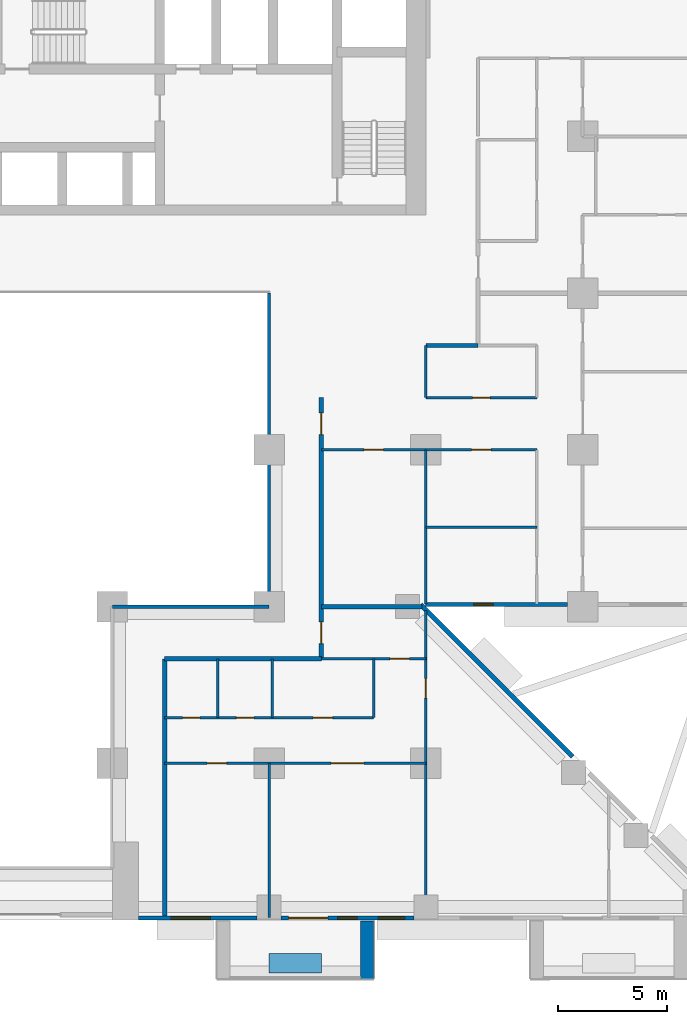
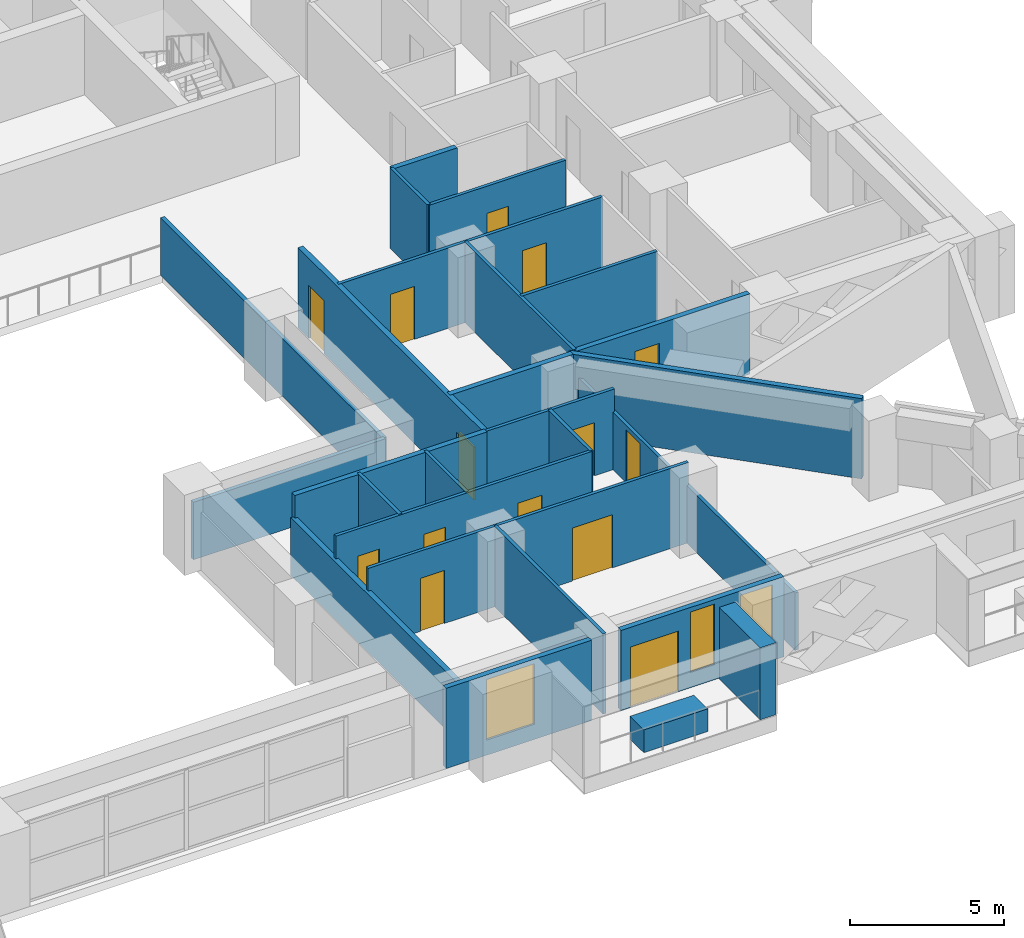
# One storey, part 8 of 17: 26 walls, 13 doors, 4 windows, 17 openings.
"""IFC4 building model written with IfcOpenShell, lengths in metres."""

from ifc_helpers import new_model, si_unit, direction, frame, frame_2d, origin, place, context, subcontext, project, spatial, rectangle, extrude, material, layer, layer_set, type_object, element, fill, save


model = new_model("IFC4")

# Units and contexts
model_context = context("Model", 3, precision=1e-05, world=origin(), true_north=direction((0.0, 1.0)))
body_context = subcontext(model_context, "Body", "Model", "MODEL_VIEW")
ifc_project = project(units=[si_unit("LENGTHUNIT", "METRE"), si_unit("AREAUNIT", "SQUARE_METRE"), si_unit("VOLUMEUNIT", "CUBIC_METRE"), si_unit("PLANEANGLEUNIT", "RADIAN"), si_unit("MASSUNIT", "GRAM", prefix="KILO")], contexts=[model_context])

# Site, building, storey
site_placement = place(None, origin())
site = spatial("IfcSite", under=ifc_project, at=site_placement, CompositionType="ELEMENT")
building_placement = place(site_placement, origin())
building = spatial("IfcBuilding", under=site, at=building_placement, Name="Saffron Iwan Residences", CompositionType="ELEMENT")
storey_placement = place(building_placement, frame((0.0, 0.0, 41.0)))
storey = spatial("IfcBuildingStorey", under=building, at=storey_placement, Name="L09", CompositionType="ELEMENT", Elevation=41.0)

# Walls
ifc_material_1 = material(Name="Fire-rated glazing", Category="glass")
ifc_layer_1 = layer(ifc_material_1, 0.14990234375)
ifc_layer_set_1 = layer_set([ifc_layer_1], Name="Fire-rated glazing")
wall_type_1 = type_object("IfcWallType", Name="Atrium glazed screen 150", PredefinedType="SOLIDWALL", material=ifc_layer_set_1)
wall_1_placement = place(storey_placement, frame((57.60009765625, 48.0, 0.0), z_axis=(0.0, 0.0, 1.0), x_axis=(1.0, 0.0, 0.0)))
element("IfcWall", 1, at=wall_1_placement, inside=storey, type_object=wall_type_1, Name="W-L09-SCREEN-h48-57.6", PredefinedType="SOLIDWALL", context=body_context, shape_type="SweptSolid", body=[
    extrude(rectangle(XDim=7.199951171875, YDim=0.14990234375, at=frame_2d((3.60009765625, 0.0))), origin(), (0.0, 0.0, 1.0), 2.280029296875),
])
wall_2_placement = place(storey_placement, frame((64.800048828125, 48.0, 0.0), z_axis=(0.0, 0.0, 1.0), x_axis=(0.0, 1.0, 0.0)))
element("IfcWall", 2, at=wall_2_placement, inside=storey, type_object=wall_type_1, Name="W-L09-SCREEN-v64.8-48", PredefinedType="SOLIDWALL", context=body_context, shape_type="SweptSolid", body=[
    extrude(rectangle(XDim=14.39990234375, YDim=0.14990234375, at=frame_2d((7.199951171875, 0.0))), origin(), (0.0, 0.0, 1.0), 2.280029296875),
])
ifc_material_2 = material(Name="Concrete C50/60 white painted", Category="concrete")
ifc_layer_2 = layer(ifc_material_2, 0.60009765625)
ifc_layer_set_2 = layer_set([ifc_layer_2], Name="Concrete C50/60 white painted")
wall_type_2 = type_object("IfcWallType", Name="BALCONY FIN 600", PredefinedType="SOLIDWALL", material=ifc_layer_set_2)
wall_3_placement = place(storey_placement, frame((69.300048828125, 33.550048828125, 0.0), z_axis=(0.0, 0.0, 1.0), x_axis=(0.0, -1.0, 0.0)))
element("IfcWall", 3, at=wall_3_placement, inside=storey, type_object=wall_type_2, Name="Balcony fin L09 11-2b", PredefinedType="SOLIDWALL", context=body_context, shape_type="SweptSolid", body=[
    extrude(rectangle(XDim=2.650146484375, YDim=0.60009765625, at=frame_2d((1.3251953125, 0.0))), origin(), (0.0, 0.0, 1.0), 2.85009765625),
])
ifc_material_3 = material(Name="Concrete C35/45 white painted", Category="concrete")
ifc_layer_3 = layer(ifc_material_3, 0.14990234375)
ifc_layer_set_3 = layer_set([ifc_layer_3], Name="Concrete C35/45 white painted")
wall_type_3 = type_object("IfcWallType", Name="BALCONY PLANTER", PredefinedType="SOLIDWALL", material=ifc_layer_set_3)
wall_4_placement = place(storey_placement, frame((64.800048828125, 31.625, 0.0), z_axis=(0.0, 0.0, 1.0), x_axis=(1.0, 0.0, 0.0)))
element("IfcWall", 4, at=wall_4_placement, inside=storey, type_object=wall_type_3, Name="PLANTER L09 11-2", PredefinedType="SOLIDWALL", context=body_context, shape_type="SweptSolid", body=[
    extrude(rectangle(XDim=2.39990234375, YDim=0.89990234375, at=frame_2d((1.199951171875, 0.0))), origin(), (0.0, 0.0, 1.0), 0.89990234375),
])
ifc_material_4 = material(Name="Concrete C40/50", Category="concrete")
ifc_layer_4 = layer(ifc_material_4, 0.199951171875)
ifc_layer_set_4 = layer_set([ifc_layer_4], Name="Concrete C40/50")
wall_type_4 = type_object("IfcWallType", Name="EXTERNAL WALL 200", PredefinedType="SOLIDWALL", material=ifc_layer_set_4)
wall_5_placement = place(storey_placement, frame((78.740478515625, 41.1181640625, 0.0), z_axis=(0.0, 0.0, 1.0), x_axis=(-0.707106781187, 0.707106781187, 0.0)))
element("IfcWall", 5, at=wall_5_placement, inside=storey, type_object=wall_type_4, Name="External wall L09 F0.2", PredefinedType="SOLIDWALL", context=body_context, shape_type="SweptSolid", body=[
    extrude(rectangle(XDim=9.8740234375, YDim=0.199951171875, at=frame_2d((4.93701171875, 0.0))), origin(), (0.0, 0.0, 1.0), 3.179931640625),
])

# Wall, opening, window
wall_6_placement = place(storey_placement, frame((71.988525390625, 48.10009765625, 0.0), z_axis=(0.0, 0.0, 1.0), x_axis=(1.0, 0.0, 0.0)))
wall_6 = element("IfcWall", 6, at=wall_6_placement, inside=storey, type_object=wall_type_4, Name="External wall L09 F1.0", PredefinedType="SOLIDWALL", context=body_context, shape_type="SweptSolid", body=[
    extrude(rectangle(XDim=6.511474609375, YDim=0.199951171875, at=frame_2d((3.255859375, 0.0))), origin(), (0.0, 0.0, 1.0), 3.179931640625),
])
opening_1_placement = place(wall_6_placement, frame((2.205810546875, 0.0, 1.5)))
opening_1 = element("IfcOpeningElement", 7, at=opening_1_placement, cuts=wall_6, Name="Opening W6", PredefinedType="OPENING", context=body_context, shape_type="SweptSolid", body=[
    extrude(rectangle(XDim=0.89990234375, YDim=0.89990234375, at=frame_2d((0.449951171875, 0.449951171875))), frame((0.0, 0.10986328125, 0.0), z_axis=(0.0, -1.0, 0.0), x_axis=(1.0, 0.0, 0.0)), (0.0, 0.0, 1.0), 0.219970703125),
])
ifc_material_5 = material(Name="Clear glass, laminated double glazed", Category="glass")
window_type_1 = type_object("IfcWindowType", Name="WINDOW 900 x 900 BATH", PartitioningType="SINGLE_PANEL", PredefinedType="WINDOW", material=ifc_material_5)
window_1_placement = place(opening_1_placement, origin())
window_1 = element("IfcWindow", 8, at=window_1_placement, inside=storey, type_object=window_type_1, Name="Window L09 F1.0", OverallHeight=0.89990234375, OverallWidth=0.89990234375, PartitioningType="SINGLE_PANEL", PredefinedType="WINDOW", context=body_context, shape_type="SweptSolid", body=[
    extrude(rectangle(XDim=0.89990234375, YDim=0.89990234375, at=frame_2d((0.449951171875, 0.449951171875))), frame((0.0, 0.030029296875, 0.0), z_axis=(0.0, -1.0, 0.0), x_axis=(1.0, 0.0, 0.0)), (0.0, 0.0, 1.0), 0.06005859375),
])
fill(opening_1, window_1)

wall_7_placement = place(storey_placement, frame((58.800048828125, 33.699951171875, 0.0), z_axis=(0.0, 0.0, 1.0), x_axis=(1.0, 0.0, 0.0)))
wall_7 = element("IfcWall", 9, at=wall_7_placement, inside=storey, type_object=wall_type_4, Name="External wall L09 F11.4", PredefinedType="SOLIDWALL", context=body_context, shape_type="SweptSolid", body=[
    extrude(rectangle(XDim=5.449951171875, YDim=0.199951171875, at=frame_2d((2.72509765625, 0.0))), origin(), (0.0, 0.0, 1.0), 3.179931640625),
])
opening_2_placement = place(wall_7_placement, frame((1.5, 0.0, 0.60009765625)))
opening_2 = element("IfcOpeningElement", 10, at=opening_2_placement, cuts=wall_7, Name="Opening W8", PredefinedType="OPENING", context=body_context, shape_type="SweptSolid", body=[
    extrude(rectangle(XDim=1.800048828125, YDim=2.39990234375, at=frame_2d((0.89990234375, 1.199951171875))), frame((0.0, 0.10986328125, 0.0), z_axis=(0.0, -1.0, 0.0), x_axis=(1.0, 0.0, 0.0)), (0.0, 0.0, 1.0), 0.219970703125),
])
window_type_2 = type_object("IfcWindowType", Name="WINDOW 1800 x 2400", PartitioningType="DOUBLE_PANEL_VERTICAL", PredefinedType="WINDOW", material=ifc_material_5)
window_2_placement = place(opening_2_placement, origin())
window_2 = element("IfcWindow", 11, at=window_2_placement, inside=storey, type_object=window_type_2, Name="Window L09 F11.0", OverallHeight=2.39990234375, OverallWidth=1.800048828125, PartitioningType="DOUBLE_PANEL_VERTICAL", PredefinedType="WINDOW", context=body_context, shape_type="SweptSolid", body=[
    extrude(rectangle(XDim=1.800048828125, YDim=2.39990234375, at=frame_2d((0.89990234375, 1.199951171875))), frame((0.0, 0.030029296875, 0.0), z_axis=(0.0, -1.0, 0.0), x_axis=(1.0, 0.0, 0.0)), (0.0, 0.0, 1.0), 0.06005859375),
])
fill(opening_2, window_2)

# Wall, openings, door, windows
wall_8_placement = place(storey_placement, frame((65.35009765625, 33.699951171875, 0.0), z_axis=(0.0, 0.0, 1.0), x_axis=(1.0, 0.0, 0.0)))
wall_8 = element("IfcWall", 12, at=wall_8_placement, inside=storey, type_object=wall_type_4, Name="External wall L09 F11.5", PredefinedType="SOLIDWALL", context=body_context, shape_type="SweptSolid", body=[
    extrude(rectangle(XDim=6.099853515625, YDim=0.199951171875, at=frame_2d((3.0498046875, 0.0))), origin(), (0.0, 0.0, 1.0), 3.179931640625),
])
opening_3_placement = place(wall_8_placement, frame((0.35009765625, 0.0, 0.0)))
opening_3 = element("IfcOpeningElement", 13, at=opening_3_placement, cuts=wall_8, Name="Opening BD1", PredefinedType="OPENING", context=body_context, shape_type="SweptSolid", body=[
    extrude(rectangle(XDim=1.800048828125, YDim=2.39990234375, at=frame_2d((0.89990234375, 1.199951171875))), frame((0.0, 0.10986328125, 0.0), z_axis=(0.0, -1.0, 0.0), x_axis=(1.0, 0.0, 0.0)), (0.0, 0.0, 1.0), 0.219970703125),
])
opening_4_placement = place(wall_8_placement, frame((2.60009765625, 0.0, 0.60009765625)))
opening_4 = element("IfcOpeningElement", 14, at=opening_4_placement, cuts=wall_8, Name="Opening W10", PredefinedType="OPENING", context=body_context, shape_type="SweptSolid", body=[
    extrude(rectangle(XDim=0.89990234375, YDim=2.39990234375, at=frame_2d((0.449951171875, 1.199951171875))), frame((0.0, 0.10986328125, 0.0), z_axis=(0.0, -1.0, 0.0), x_axis=(1.0, 0.0, 0.0)), (0.0, 0.0, 1.0), 0.219970703125),
])
opening_5_placement = place(wall_8_placement, frame((4.47509765625, 0.0, 0.60009765625)))
opening_5 = element("IfcOpeningElement", 15, at=opening_5_placement, cuts=wall_8, Name="Opening W3", PredefinedType="OPENING", context=body_context, shape_type="SweptSolid", body=[
    extrude(rectangle(XDim=1.199951171875, YDim=2.39990234375, at=frame_2d((0.60009765625, 1.199951171875))), frame((0.0, 0.10986328125, 0.0), z_axis=(0.0, -1.0, 0.0), x_axis=(1.0, 0.0, 0.0)), (0.0, 0.0, 1.0), 0.219970703125),
])
door_type_1 = type_object("IfcDoorType", Name="BALCONY DOOR 1800 x 2400", OperationType="DOUBLE_DOOR_SLIDING", PredefinedType="DOOR", material=ifc_material_5)
door_1_placement = place(opening_3_placement, origin())
door_1 = element("IfcDoor", 16, at=door_1_placement, inside=storey, type_object=door_type_1, Name="Balcony door L09 F11.0", OperationType="DOUBLE_DOOR_SLIDING", OverallHeight=2.39990234375, OverallWidth=1.800048828125, PredefinedType="DOOR", context=body_context, shape_type="SweptSolid", body=[
    extrude(rectangle(XDim=1.800048828125, YDim=2.39990234375, at=frame_2d((0.89990234375, 1.199951171875))), frame((0.0, 0.02490234375, 0.0), z_axis=(0.0, -1.0, 0.0), x_axis=(1.0, 0.0, 0.0)), (0.0, 0.0, 1.0), 0.050048828125),
])
fill(opening_3, door_1)
window_type_3 = type_object("IfcWindowType", Name="WINDOW 1200 x 2400", PartitioningType="SINGLE_PANEL", PredefinedType="WINDOW", material=ifc_material_5)
window_3_placement = place(opening_5_placement, origin())
window_3 = element("IfcWindow", 17, at=window_3_placement, inside=storey, type_object=window_type_3, Name="Window L09 F11.2", OverallHeight=2.39990234375, OverallWidth=1.199951171875, PartitioningType="SINGLE_PANEL", PredefinedType="WINDOW", context=body_context, shape_type="SweptSolid", body=[
    extrude(rectangle(XDim=1.199951171875, YDim=2.39990234375, at=frame_2d((0.60009765625, 1.199951171875))), frame((0.0, 0.030029296875, 0.0), z_axis=(0.0, -1.0, 0.0), x_axis=(1.0, 0.0, 0.0)), (0.0, 0.0, 1.0), 0.06005859375),
])
fill(opening_5, window_3)
window_type_4 = type_object("IfcWindowType", Name="WINDOW 900 x 2400", PartitioningType="SINGLE_PANEL", PredefinedType="WINDOW", material=ifc_material_5)
window_4_placement = place(opening_4_placement, origin())
window_4 = element("IfcWindow", 18, at=window_4_placement, inside=storey, type_object=window_type_4, Name="Window L09 F11.1", OverallHeight=2.39990234375, OverallWidth=0.89990234375, PartitioningType="SINGLE_PANEL", PredefinedType="WINDOW", context=body_context, shape_type="SweptSolid", body=[
    extrude(rectangle(XDim=0.89990234375, YDim=2.39990234375, at=frame_2d((0.449951171875, 1.199951171875))), frame((0.0, 0.030029296875, 0.0), z_axis=(0.0, -1.0, 0.0), x_axis=(1.0, 0.0, 0.0)), (0.0, 0.0, 1.0), 0.06005859375),
])
fill(opening_4, window_4)

# Wall
ifc_material_6 = material(Name="Fire-rated gypsum board wall")
ifc_layer_5 = layer(ifc_material_6, 0.199951171875)
ifc_layer_set_5 = layer_set([ifc_layer_5], Name="Fire-rated gypsum board wall")
wall_type_5 = type_object("IfcWallType", Name="Flat demising wall 200", PredefinedType="SOLIDWALL", material=ifc_layer_set_5)
wall_9_placement = place(storey_placement, frame((67.199951171875, 48.0, 0.0), z_axis=(0.0, 0.0, 1.0), x_axis=(1.0, 0.0, 0.0)))
element("IfcWall", 19, at=wall_9_placement, inside=storey, type_object=wall_type_5, Name="W-L09-DEMISE-h48-67.2", PredefinedType="SOLIDWALL", context=body_context, shape_type="SweptSolid", body=[
    extrude(rectangle(XDim=4.623046875, YDim=0.199951171875, at=frame_2d((2.3115234375, 0.0))), origin(), (0.0, 0.0, 1.0), 3.179931640625),
])

# Wall, openings, doors
ifc_material_7 = material(Name="Gypsum board partition")
ifc_layer_6 = layer(ifc_material_7, 0.1201171875)
ifc_layer_set_6 = layer_set([ifc_layer_6], Name="Gypsum board partition")
wall_type_6 = type_object("IfcWallType", Name="Flat partition 120", PredefinedType="PARTITIONING", material=ifc_layer_set_6)
wall_10_placement = place(storey_placement, frame((60.0, 40.800048828125, 0.0), z_axis=(0.0, 0.0, 1.0), x_axis=(1.0, 0.0, 0.0)))
wall_10 = element("IfcWall", 20, at=wall_10_placement, inside=storey, type_object=wall_type_6, Name="W-L09-PART-h40.8-60", PredefinedType="PARTITIONING", context=body_context, shape_type="SweptSolid", body=[
    extrude(rectangle(XDim=12.0, YDim=0.1201171875, at=frame_2d((6.0, 0.0))), origin(), (0.0, 0.0, 1.0), 3.179931640625),
])
opening_6_placement = place(wall_10_placement, frame((7.64990234375, 0.0, 0.0)))
opening_6 = element("IfcOpeningElement", 21, at=opening_6_placement, cuts=wall_10, Name="Opening FD4", PredefinedType="OPENING", context=body_context, shape_type="SweptSolid", body=[
    extrude(rectangle(XDim=1.5, YDim=2.10009765625, at=frame_2d((0.75, 1.050048828125))), frame((0.0, 0.070068359375, 0.0), z_axis=(0.0, -1.0, 0.0), x_axis=(1.0, 0.0, 0.0)), (0.0, 0.0, 1.0), 0.14013671875),
])
opening_7_placement = place(wall_10_placement, frame((1.949951171875, 0.0, 0.0)))
opening_7 = element("IfcOpeningElement", 22, at=opening_7_placement, cuts=wall_10, Name="Opening FD2", PredefinedType="OPENING", context=body_context, shape_type="SweptSolid", body=[
    extrude(rectangle(XDim=0.89990234375, YDim=2.10009765625, at=frame_2d((0.449951171875, 1.050048828125))), frame((0.0, 0.070068359375, 0.0), z_axis=(0.0, -1.0, 0.0), x_axis=(1.0, 0.0, 0.0)), (0.0, 0.0, 1.0), 0.14013671875),
])
ifc_material_8 = material(Name="Timber door", Category="wood")
door_type_2 = type_object("IfcDoorType", Name="Double door 1500", OperationType="NOTDEFINED", PredefinedType="DOOR", material=ifc_material_8)
door_2_placement = place(opening_6_placement, origin())
door_2 = element("IfcDoor", 23, at=door_2_placement, inside=storey, type_object=door_type_2, Name="Door L09-044", OperationType="SINGLE_SWING_LEFT", OverallHeight=2.10009765625, OverallWidth=1.5, PredefinedType="DOOR", context=body_context, shape_type="SweptSolid", body=[
    extrude(rectangle(XDim=1.5, YDim=2.10009765625, at=frame_2d((0.75, 1.050048828125))), frame((0.0, 0.02490234375, 0.0), z_axis=(0.0, -1.0, 0.0), x_axis=(1.0, 0.0, 0.0)), (0.0, 0.0, 1.0), 0.050048828125),
])
fill(opening_6, door_2)
door_type_3 = type_object("IfcDoorType", Name="Flat door 900", OperationType="NOTDEFINED", PredefinedType="DOOR", material=ifc_material_8)
door_3_placement = place(opening_7_placement, origin())
door_3 = element("IfcDoor", 24, at=door_3_placement, inside=storey, type_object=door_type_3, Name="Door L09-045", OperationType="SINGLE_SWING_LEFT", OverallHeight=2.10009765625, OverallWidth=0.89990234375, PredefinedType="DOOR", context=body_context, shape_type="SweptSolid", body=[
    extrude(rectangle(XDim=0.89990234375, YDim=2.10009765625, at=frame_2d((0.449951171875, 1.050048828125))), frame((0.0, 0.02490234375, 0.0), z_axis=(0.0, -1.0, 0.0), x_axis=(1.0, 0.0, 0.0)), (0.0, 0.0, 1.0), 0.050048828125),
])
fill(opening_7, door_3)

wall_11_placement = place(storey_placement, frame((60.0, 42.89990234375, 0.0), z_axis=(0.0, 0.0, 1.0), x_axis=(1.0, 0.0, 0.0)))
wall_11 = element("IfcWall", 25, at=wall_11_placement, inside=storey, type_object=wall_type_6, Name="W-L09-PART-h42.9-60", PredefinedType="PARTITIONING", context=body_context, shape_type="SweptSolid", body=[
    extrude(rectangle(XDim=9.60009765625, YDim=0.1201171875, at=frame_2d((4.800048828125, 0.0))), origin(), (0.0, 0.0, 1.0), 3.179931640625),
])
opening_8_placement = place(wall_11_placement, frame((6.824951171875, 0.0, 0.0)))
opening_8 = element("IfcOpeningElement", 26, at=opening_8_placement, cuts=wall_11, Name="Opening FD2", PredefinedType="OPENING", context=body_context, shape_type="SweptSolid", body=[
    extrude(rectangle(XDim=0.89990234375, YDim=2.10009765625, at=frame_2d((0.449951171875, 1.050048828125))), frame((0.0, 0.070068359375, 0.0), z_axis=(0.0, -1.0, 0.0), x_axis=(1.0, 0.0, 0.0)), (0.0, 0.0, 1.0), 0.14013671875),
])
opening_9_placement = place(wall_11_placement, frame((3.300048828125, 0.0, 0.0)))
opening_9 = element("IfcOpeningElement", 27, at=opening_9_placement, cuts=wall_11, Name="Opening FD3", PredefinedType="OPENING", context=body_context, shape_type="SweptSolid", body=[
    extrude(rectangle(XDim=0.800048828125, YDim=2.10009765625, at=frame_2d((0.39990234375, 1.050048828125))), frame((0.0, 0.070068359375, 0.0), z_axis=(0.0, -1.0, 0.0), x_axis=(1.0, 0.0, 0.0)), (0.0, 0.0, 1.0), 0.14013671875),
])
opening_10_placement = place(wall_11_placement, frame((0.824951171875, 0.0, 0.0)))
opening_10 = element("IfcOpeningElement", 28, at=opening_10_placement, cuts=wall_11, Name="Opening FD3", PredefinedType="OPENING", context=body_context, shape_type="SweptSolid", body=[
    extrude(rectangle(XDim=0.800048828125, YDim=2.10009765625, at=frame_2d((0.39990234375, 1.050048828125))), frame((0.0, 0.070068359375, 0.0), z_axis=(0.0, -1.0, 0.0), x_axis=(1.0, 0.0, 0.0)), (0.0, 0.0, 1.0), 0.14013671875),
])
door_type_4 = type_object("IfcDoorType", Name="Bathroom door 800", OperationType="NOTDEFINED", PredefinedType="DOOR", material=ifc_material_8)
door_4_placement = place(opening_9_placement, origin())
door_4 = element("IfcDoor", 29, at=door_4_placement, inside=storey, type_object=door_type_4, Name="Door L09-047", OperationType="SINGLE_SWING_LEFT", OverallHeight=2.10009765625, OverallWidth=0.800048828125, PredefinedType="DOOR", context=body_context, shape_type="SweptSolid", body=[
    extrude(rectangle(XDim=0.800048828125, YDim=2.10009765625, at=frame_2d((0.39990234375, 1.050048828125))), frame((0.0, 0.02490234375, 0.0), z_axis=(0.0, -1.0, 0.0), x_axis=(1.0, 0.0, 0.0)), (0.0, 0.0, 1.0), 0.050048828125),
])
fill(opening_9, door_4)
door_5_placement = place(opening_10_placement, origin())
door_5 = element("IfcDoor", 30, at=door_5_placement, inside=storey, type_object=door_type_4, Name="Door L09-048", OperationType="SINGLE_SWING_LEFT", OverallHeight=2.10009765625, OverallWidth=0.800048828125, PredefinedType="DOOR", context=body_context, shape_type="SweptSolid", body=[
    extrude(rectangle(XDim=0.800048828125, YDim=2.10009765625, at=frame_2d((0.39990234375, 1.050048828125))), frame((0.0, 0.02490234375, 0.0), z_axis=(0.0, -1.0, 0.0), x_axis=(1.0, 0.0, 0.0)), (0.0, 0.0, 1.0), 0.050048828125),
])
fill(opening_10, door_5)
door_6_placement = place(opening_8_placement, origin())
door_6 = element("IfcDoor", 31, at=door_6_placement, inside=storey, type_object=door_type_3, Name="Door L09-046", OperationType="SINGLE_SWING_RIGHT", OverallHeight=2.10009765625, OverallWidth=0.89990234375, PredefinedType="DOOR", context=body_context, shape_type="SweptSolid", body=[
    extrude(rectangle(XDim=0.89990234375, YDim=2.10009765625, at=frame_2d((0.449951171875, 1.050048828125))), frame((0.0, 0.02490234375, 0.0), z_axis=(0.0, -1.0, 0.0), x_axis=(1.0, 0.0, 0.0)), (0.0, 0.0, 1.0), 0.050048828125),
])
fill(opening_8, door_6)

# Wall, opening, door
wall_12_placement = place(storey_placement, frame((67.199951171875, 45.60009765625, 0.0), z_axis=(0.0, 0.0, 1.0), x_axis=(1.0, 0.0, 0.0)))
wall_12 = element("IfcWall", 32, at=wall_12_placement, inside=storey, type_object=wall_type_6, Name="W-L09-PART-h45.6-67.2", PredefinedType="PARTITIONING", context=body_context, shape_type="SweptSolid", body=[
    extrude(rectangle(XDim=4.800048828125, YDim=0.1201171875, at=frame_2d((2.39990234375, 0.0))), origin(), (0.0, 0.0, 1.0), 3.179931640625),
])
opening_11_placement = place(wall_12_placement, frame((3.14990234375, 0.0, 0.0)))
opening_11 = element("IfcOpeningElement", 33, at=opening_11_placement, cuts=wall_12, Name="Opening FD2", PredefinedType="OPENING", context=body_context, shape_type="SweptSolid", body=[
    extrude(rectangle(XDim=0.89990234375, YDim=2.10009765625, at=frame_2d((0.449951171875, 1.050048828125))), frame((0.0, 0.070068359375, 0.0), z_axis=(0.0, -1.0, 0.0), x_axis=(1.0, 0.0, 0.0)), (0.0, 0.0, 1.0), 0.14013671875),
])
door_7_placement = place(opening_11_placement, origin())
door_7 = element("IfcDoor", 34, at=door_7_placement, inside=storey, type_object=door_type_3, Name="Door L09-042", OperationType="SINGLE_SWING_LEFT", OverallHeight=2.10009765625, OverallWidth=0.89990234375, PredefinedType="DOOR", context=body_context, shape_type="SweptSolid", body=[
    extrude(rectangle(XDim=0.89990234375, YDim=2.10009765625, at=frame_2d((0.449951171875, 1.050048828125))), frame((0.0, 0.02490234375, 0.0), z_axis=(0.0, -1.0, 0.0), x_axis=(1.0, 0.0, 0.0)), (0.0, 0.0, 1.0), 0.050048828125),
])
fill(opening_11, door_7)

# Wall
wall_13_placement = place(storey_placement, frame((72.0, 51.64990234375, 0.0), z_axis=(0.0, 0.0, 1.0), x_axis=(1.0, 0.0, 0.0)))
element("IfcWall", 35, at=wall_13_placement, inside=storey, type_object=wall_type_6, Name="W-L09-PART-h51.65-72", PredefinedType="PARTITIONING", context=body_context, shape_type="SweptSolid", body=[
    extrude(rectangle(XDim=5.10009765625, YDim=0.1201171875, at=frame_2d((2.550048828125, 0.0))), origin(), (0.0, 0.0, 1.0), 3.179931640625),
])

# Wall, openings, doors
wall_14_placement = place(storey_placement, frame((67.199951171875, 55.199951171875, 0.0), z_axis=(0.0, 0.0, 1.0), x_axis=(1.0, 0.0, 0.0)))
wall_14 = element("IfcWall", 36, at=wall_14_placement, inside=storey, type_object=wall_type_6, Name="W-L09-PART-h55.2-67.2", PredefinedType="PARTITIONING", context=body_context, shape_type="SweptSolid", body=[
    extrude(rectangle(XDim=9.900146484375, YDim=0.1201171875, at=frame_2d((4.9501953125, 0.0))), origin(), (0.0, 0.0, 1.0), 3.179931640625),
])
opening_12_placement = place(wall_14_placement, frame((6.89990234375, 0.0, 0.0)))
opening_12 = element("IfcOpeningElement", 37, at=opening_12_placement, cuts=wall_14, Name="Opening FD2", PredefinedType="OPENING", context=body_context, shape_type="SweptSolid", body=[
    extrude(rectangle(XDim=0.89990234375, YDim=2.10009765625, at=frame_2d((0.449951171875, 1.050048828125))), frame((0.0, 0.070068359375, 0.0), z_axis=(0.0, -1.0, 0.0), x_axis=(1.0, 0.0, 0.0)), (0.0, 0.0, 1.0), 0.14013671875),
])
opening_13_placement = place(wall_14_placement, frame((1.949951171875, 0.0, 0.0)))
opening_13 = element("IfcOpeningElement", 38, at=opening_13_placement, cuts=wall_14, Name="Opening FD2", PredefinedType="OPENING", context=body_context, shape_type="SweptSolid", body=[
    extrude(rectangle(XDim=0.89990234375, YDim=2.10009765625, at=frame_2d((0.449951171875, 1.050048828125))), frame((0.0, 0.070068359375, 0.0), z_axis=(0.0, -1.0, 0.0), x_axis=(1.0, 0.0, 0.0)), (0.0, 0.0, 1.0), 0.14013671875),
])
door_8_placement = place(opening_12_placement, origin())
door_8 = element("IfcDoor", 39, at=door_8_placement, inside=storey, type_object=door_type_3, Name="Door L09-024", OperationType="SINGLE_SWING_LEFT", OverallHeight=2.10009765625, OverallWidth=0.89990234375, PredefinedType="DOOR", context=body_context, shape_type="SweptSolid", body=[
    extrude(rectangle(XDim=0.89990234375, YDim=2.10009765625, at=frame_2d((0.449951171875, 1.050048828125))), frame((0.0, 0.02490234375, 0.0), z_axis=(0.0, -1.0, 0.0), x_axis=(1.0, 0.0, 0.0)), (0.0, 0.0, 1.0), 0.050048828125),
])
fill(opening_12, door_8)
door_9_placement = place(opening_13_placement, origin())
door_9 = element("IfcDoor", 40, at=door_9_placement, inside=storey, type_object=door_type_3, Name="Door L09-026", OperationType="SINGLE_SWING_LEFT", OverallHeight=2.10009765625, OverallWidth=0.89990234375, PredefinedType="DOOR", context=body_context, shape_type="SweptSolid", body=[
    extrude(rectangle(XDim=0.89990234375, YDim=2.10009765625, at=frame_2d((0.449951171875, 1.050048828125))), frame((0.0, 0.02490234375, 0.0), z_axis=(0.0, -1.0, 0.0), x_axis=(1.0, 0.0, 0.0)), (0.0, 0.0, 1.0), 0.050048828125),
])
fill(opening_13, door_9)

# Wall, opening, door
wall_15_placement = place(storey_placement, frame((72.0, 57.60009765625, 0.0), z_axis=(0.0, 0.0, 1.0), x_axis=(1.0, 0.0, 0.0)))
wall_15 = element("IfcWall", 41, at=wall_15_placement, inside=storey, type_object=wall_type_6, Name="W-L09-PART-h57.6-72", PredefinedType="PARTITIONING", context=body_context, shape_type="SweptSolid", body=[
    extrude(rectangle(XDim=5.10009765625, YDim=0.1201171875, at=frame_2d((2.550048828125, 0.0))), origin(), (0.0, 0.0, 1.0), 3.179931640625),
])
opening_14_placement = place(wall_15_placement, frame((2.14990234375, 0.0, 0.0)))
opening_14 = element("IfcOpeningElement", 42, at=opening_14_placement, cuts=wall_15, Name="Opening FD3", PredefinedType="OPENING", context=body_context, shape_type="SweptSolid", body=[
    extrude(rectangle(XDim=0.800048828125, YDim=2.10009765625, at=frame_2d((0.39990234375, 1.050048828125))), frame((0.0, 0.070068359375, 0.0), z_axis=(0.0, -1.0, 0.0), x_axis=(1.0, 0.0, 0.0)), (0.0, 0.0, 1.0), 0.14013671875),
])
door_10_placement = place(opening_14_placement, origin())
door_10 = element("IfcDoor", 43, at=door_10_placement, inside=storey, type_object=door_type_4, Name="Door L09-025", OperationType="SINGLE_SWING_RIGHT", OverallHeight=2.10009765625, OverallWidth=0.800048828125, PredefinedType="DOOR", context=body_context, shape_type="SweptSolid", body=[
    extrude(rectangle(XDim=0.800048828125, YDim=2.10009765625, at=frame_2d((0.39990234375, 1.050048828125))), frame((0.0, 0.02490234375, 0.0), z_axis=(0.0, -1.0, 0.0), x_axis=(1.0, 0.0, 0.0)), (0.0, 0.0, 1.0), 0.050048828125),
])
fill(opening_14, door_10)

# Walls
wall_16_placement = place(storey_placement, frame((62.449951171875, 42.89990234375, 0.0), z_axis=(0.0, 0.0, 1.0), x_axis=(0.0, 1.0, 0.0)))
element("IfcWall", 44, at=wall_16_placement, inside=storey, type_object=wall_type_6, Name="W-L09-PART-v62.45-42.9", PredefinedType="PARTITIONING", context=body_context, shape_type="SweptSolid", body=[
    extrude(rectangle(XDim=2.7001953125, YDim=0.1201171875, at=frame_2d((1.35009765625, 0.0))), origin(), (0.0, 0.0, 1.0), 3.179931640625),
])
wall_17_placement = place(storey_placement, frame((64.800048828125, 33.72509765625, 0.0), z_axis=(0.0, 0.0, 1.0), x_axis=(0.0, 1.0, 0.0)))
element("IfcWall", 45, at=wall_17_placement, inside=storey, type_object=wall_type_6, Name="W-L09-PART-v64.8-33.725", PredefinedType="PARTITIONING", context=body_context, shape_type="SweptSolid", body=[
    extrude(rectangle(XDim=7.074951171875, YDim=0.1201171875, at=frame_2d((3.53759765625, 0.0))), origin(), (0.0, 0.0, 1.0), 3.179931640625),
])
for number, where, z_axis, x_axis, name in (
    (46, (64.949951171875, 42.89990234375, 0.0), (0.0, 0.0, 1.0), (0.0, 1.0, 0.0), "W-L09-PART-v64.95-42.9"),
    (47, (69.60009765625, 42.89990234375, 0.0), (0.0, 0.0, 1.0), (0.0, 1.0, 0.0), "W-L09-PART-v69.6-42.9"),
):
    element("IfcWall", number, at=place(storey_placement, frame(where, z_axis=z_axis, x_axis=x_axis)), inside=storey, type_object=wall_type_6, Name=name, PredefinedType="PARTITIONING", context=body_context, shape_type="SweptSolid", body=[
        extrude(rectangle(XDim=2.7001953125, YDim=0.1201171875, at=frame_2d((1.35009765625, 0.0))), origin(), (0.0, 0.0, 1.0), 3.179931640625),
    ])

# Wall, opening, door
wall_18_placement = place(storey_placement, frame((72.0, 33.72509765625, 0.0), z_axis=(0.0, 0.0, 1.0), x_axis=(0.0, 1.0, 0.0)))
wall_18 = element("IfcWall", 48, at=wall_18_placement, inside=storey, type_object=wall_type_6, Name="W-L09-PART-v72-33.725", PredefinedType="PARTITIONING", context=body_context, shape_type="SweptSolid", body=[
    extrude(rectangle(XDim=14.097900390625, YDim=0.1201171875, at=frame_2d((7.048828125, 0.0))), origin(), (0.0, 0.0, 1.0), 2.280029296875),
])
opening_15_placement = place(wall_18_placement, frame((10.074951171875, 0.0, 0.0)))
opening_15 = element("IfcOpeningElement", 49, at=opening_15_placement, cuts=wall_18, Name="Opening FD2", PredefinedType="OPENING", context=body_context, shape_type="SweptSolid", body=[
    extrude(rectangle(XDim=0.89990234375, YDim=2.10009765625, at=frame_2d((0.449951171875, 1.050048828125))), frame((0.0, 0.070068359375, 0.0), z_axis=(0.0, -1.0, 0.0), x_axis=(1.0, 0.0, 0.0)), (0.0, 0.0, 1.0), 0.14013671875),
])
door_11_placement = place(opening_15_placement, origin())
door_11 = element("IfcDoor", 50, at=door_11_placement, inside=storey, type_object=door_type_3, Name="Door L09-049", OperationType="SINGLE_SWING_RIGHT", OverallHeight=2.10009765625, OverallWidth=0.89990234375, PredefinedType="DOOR", context=body_context, shape_type="SweptSolid", body=[
    extrude(rectangle(XDim=0.89990234375, YDim=2.10009765625, at=frame_2d((0.449951171875, 1.050048828125))), frame((0.0, 0.02490234375, 0.0), z_axis=(0.0, -1.0, 0.0), x_axis=(1.0, 0.0, 0.0)), (0.0, 0.0, 1.0), 0.050048828125),
])
fill(opening_15, door_11)

# Walls
wall_19_placement = place(storey_placement, frame((72.0, 48.125, 0.0), z_axis=(0.0, 0.0, 1.0), x_axis=(0.0, 1.0, 0.0)))
element("IfcWall", 51, at=wall_19_placement, inside=storey, type_object=wall_type_6, Name="W-L09-PART-v72-48.125", PredefinedType="PARTITIONING", context=body_context, shape_type="SweptSolid", body=[
    extrude(rectangle(XDim=7.074951171875, YDim=0.1201171875, at=frame_2d((3.53759765625, 0.0))), origin(), (0.0, 0.0, 1.0), 3.179931640625),
])
wall_20_placement = place(storey_placement, frame((72.0, 57.60009765625, 0.0), z_axis=(0.0, 0.0, 1.0), x_axis=(0.0, 1.0, 0.0)))
element("IfcWall", 52, at=wall_20_placement, inside=storey, type_object=wall_type_6, Name="W-L09-PART-v72-57.6", PredefinedType="PARTITIONING", context=body_context, shape_type="SweptSolid", body=[
    extrude(rectangle(XDim=2.39990234375, YDim=0.1201171875, at=frame_2d((1.199951171875, 0.0))), origin(), (0.0, 0.0, 1.0), 3.179931640625),
])
ifc_layer_7 = layer(ifc_material_6, 0.199951171875)
ifc_layer_set_7 = layer_set([ifc_layer_7], Name="Fire-rated gypsum board wall")
wall_type_7 = type_object("IfcWallType", Name="Gallery wall 200", PredefinedType="SOLIDWALL", material=ifc_layer_set_7)
wall_21_placement = place(storey_placement, frame((60.0, 45.60009765625, 0.0), z_axis=(0.0, 0.0, 1.0), x_axis=(1.0, 0.0, 0.0)))
element("IfcWall", 53, at=wall_21_placement, inside=storey, type_object=wall_type_7, Name="W-L09-CORR-h45.6-60", PredefinedType="SOLIDWALL", context=body_context, shape_type="SweptSolid", body=[
    extrude(rectangle(XDim=7.199951171875, YDim=0.199951171875, at=frame_2d((3.60009765625, 0.0))), origin(), (0.0, 0.0, 1.0), 3.179931640625),
])
wall_22_placement = place(storey_placement, frame((72.0, 60.0, 0.0), z_axis=(0.0, 0.0, 1.0), x_axis=(1.0, 0.0, 0.0)))
element("IfcWall", 54, at=wall_22_placement, inside=storey, type_object=wall_type_7, Name="W-L09-CORR-h60-72", PredefinedType="SOLIDWALL", context=body_context, shape_type="SweptSolid", body=[
    extrude(rectangle(XDim=2.39990234375, YDim=0.199951171875, at=frame_2d((1.199951171875, 0.0))), origin(), (0.0, 0.0, 1.0), 3.179931640625),
])
wall_23_placement = place(storey_placement, frame((60.0, 33.72509765625, 0.0), z_axis=(0.0, 0.0, 1.0), x_axis=(0.0, 1.0, 0.0)))
element("IfcWall", 55, at=wall_23_placement, inside=storey, type_object=wall_type_7, Name="W-L09-CORR-v60-33.725", PredefinedType="SOLIDWALL", context=body_context, shape_type="SweptSolid", body=[
    extrude(rectangle(XDim=11.875, YDim=0.199951171875, at=frame_2d((5.9375, 0.0))), origin(), (0.0, 0.0, 1.0), 2.280029296875),
])

# Wall, openings, doors
wall_24_placement = place(storey_placement, frame((67.199951171875, 45.60009765625, 0.0), z_axis=(0.0, 0.0, 1.0), x_axis=(0.0, 1.0, 0.0)))
wall_24 = element("IfcWall", 56, at=wall_24_placement, inside=storey, type_object=wall_type_7, Name="W-L09-CORR-v67.2-45.6", PredefinedType="SOLIDWALL", context=body_context, shape_type="SweptSolid", body=[
    extrude(rectangle(XDim=12.0, YDim=0.199951171875, at=frame_2d((6.0, 0.0))), origin(), (0.0, 0.0, 1.0), 3.179931640625),
])
opening_16_placement = place(wall_24_placement, frame((10.300048828125, 0.0, 0.0)))
opening_16 = element("IfcOpeningElement", 57, at=opening_16_placement, cuts=wall_24, Name="Opening FD1", PredefinedType="OPENING", context=body_context, shape_type="SweptSolid", body=[
    extrude(rectangle(XDim=1.0, YDim=2.10009765625, at=frame_2d((0.5, 1.050048828125))), frame((0.0, 0.10986328125, 0.0), z_axis=(0.0, -1.0, 0.0), x_axis=(1.0, 0.0, 0.0)), (0.0, 0.0, 1.0), 0.219970703125),
])
opening_17_placement = place(wall_24_placement, frame((0.699951171875, 0.0, 0.0)))
opening_17 = element("IfcOpeningElement", 58, at=opening_17_placement, cuts=wall_24, Name="Opening FD5", PredefinedType="OPENING", context=body_context, shape_type="SweptSolid", body=[
    extrude(rectangle(XDim=1.0, YDim=2.10009765625, at=frame_2d((0.5, 1.050048828125))), frame((0.0, 0.10986328125, 0.0), z_axis=(0.0, -1.0, 0.0), x_axis=(1.0, 0.0, 0.0)), (0.0, 0.0, 1.0), 0.219970703125),
])
ifc_material_9 = material(Name="Fire-rated timber door", Category="wood")
door_type_5 = type_object("IfcDoorType", Name="FD30S flat entrance door 1000", OperationType="NOTDEFINED", PredefinedType="DOOR", material=ifc_material_9)
door_12_placement = place(opening_16_placement, origin())
door_12 = element("IfcDoor", 59, at=door_12_placement, inside=storey, type_object=door_type_5, Name="Door L09-019", OperationType="SINGLE_SWING_RIGHT", OverallHeight=2.10009765625, OverallWidth=1.0, PredefinedType="DOOR", context=body_context, shape_type="SweptSolid", body=[
    extrude(rectangle(XDim=1.0, YDim=2.10009765625, at=frame_2d((0.5, 1.050048828125))), frame((0.0, 0.02490234375, 0.0), z_axis=(0.0, -1.0, 0.0), x_axis=(1.0, 0.0, 0.0)), (0.0, 0.0, 1.0), 0.050048828125),
])
fill(opening_16, door_12)
door_type_6 = type_object("IfcDoorType", Name="Lobby door 1000", OperationType="NOTDEFINED", PredefinedType="DOOR", material=ifc_material_9)
door_13_placement = place(opening_17_placement, origin())
door_13 = element("IfcDoor", 60, at=door_13_placement, inside=storey, type_object=door_type_6, Name="Door L09-043", OperationType="SINGLE_SWING_RIGHT", OverallHeight=2.10009765625, OverallWidth=1.0, PredefinedType="DOOR", context=body_context, shape_type="SweptSolid", body=[
    extrude(rectangle(XDim=1.0, YDim=2.10009765625, at=frame_2d((0.5, 1.050048828125))), frame((0.0, 0.02490234375, 0.0), z_axis=(0.0, -1.0, 0.0), x_axis=(1.0, 0.0, 0.0)), (0.0, 0.0, 1.0), 0.050048828125),
])
fill(opening_17, door_13)

save(model, "model.ifc")
